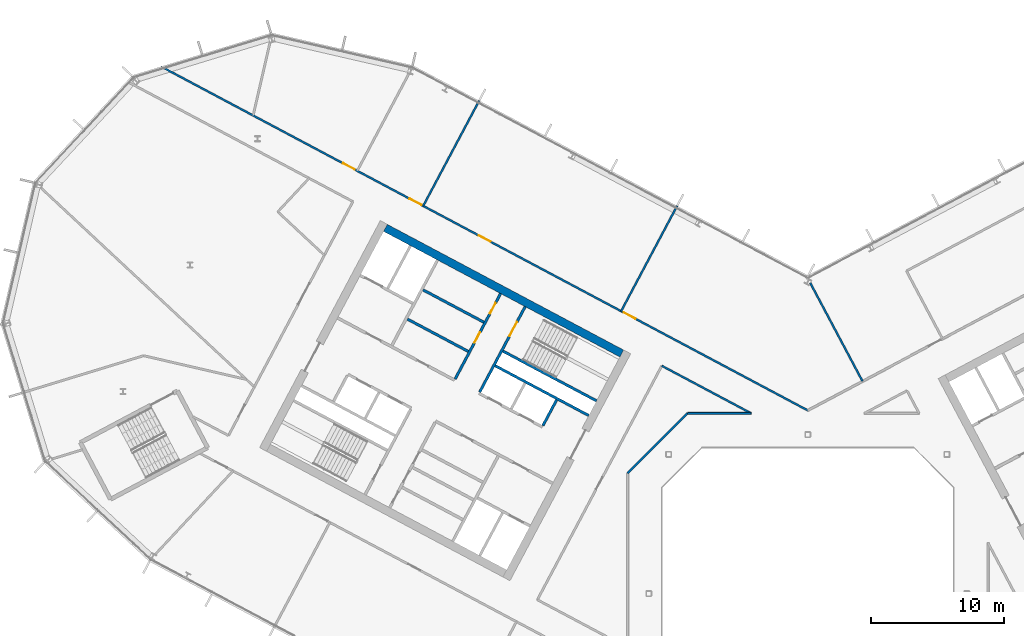
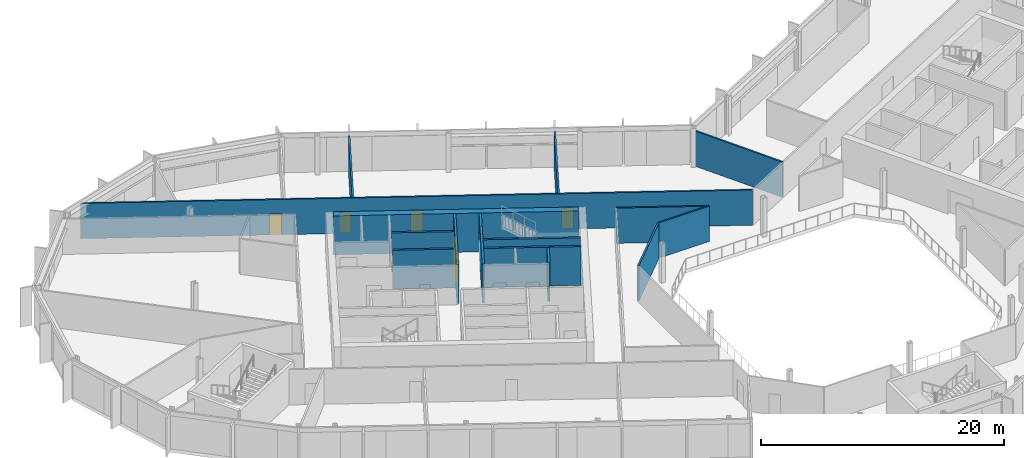
# One storey, part 15 of 27: 15 walls, 7 doors, 7 openings.
"""IFC4 building model written with IfcOpenShell, lengths in metres."""

from ifc_helpers import new_model, si_unit, direction, frame, frame_2d, origin, place, context, subcontext, project, spatial, rectangle, extrude, material, layer, layer_set, type_object, element, fill, save


model = new_model("IFC4")

# Units and contexts
model_context = context("Model", 3, precision=1e-05, world=origin(), true_north=direction((0.0, 1.0)))
body_context = subcontext(model_context, "Body", "Model", "MODEL_VIEW")
ifc_project = project(units=[si_unit("LENGTHUNIT", "METRE"), si_unit("AREAUNIT", "SQUARE_METRE"), si_unit("VOLUMEUNIT", "CUBIC_METRE"), si_unit("PLANEANGLEUNIT", "RADIAN"), si_unit("MASSUNIT", "GRAM", prefix="KILO")], contexts=[model_context])

# Site, building, storey
site_placement = place(None, origin())
site = spatial("IfcSite", under=ifc_project, at=site_placement, CompositionType="ELEMENT")
building_placement = place(site_placement, origin())
building = spatial("IfcBuilding", under=site, at=building_placement, Name="Cormorant Relay Tower", CompositionType="ELEMENT")
storey_placement = place(building_placement, frame((0.0, 0.0, 224.699951171875)))
storey = spatial("IfcBuildingStorey", under=building, at=storey_placement, Name="L49", CompositionType="ELEMENT", Elevation=224.699951171875)

# Walls
ifc_material_1 = material(Name="Concrete 40 MPa", Category="concrete")
ifc_layer_1 = layer(ifc_material_1, 0.199951171875)
ifc_layer_set_1 = layer_set([ifc_layer_1], Name="Core internal wall 200")
wall_type_1 = type_object("IfcWallType", Name="Core internal wall 200", PredefinedType="SOLIDWALL", material=ifc_layer_set_1)
wall_1_placement = place(storey_placement, frame((-24.449462890625, 20.474853515625, 0.0), z_axis=(0.0, 0.0, 1.0), x_axis=(-0.882934506056, 0.469496174655, 0.0)))
element("IfcWall", 1, at=wall_1_placement, inside=storey, type_object=wall_type_1, Name="L49 core A shaft and room wall", PredefinedType="SOLIDWALL", context=body_context, shape_type="SweptSolid", body=[
    extrude(rectangle(XDim=5.199951171875, YDim=0.199951171875, at=frame_2d((2.60009765625, 0.0))), origin(), (0.0, 0.0, 1.0), 3.900146484375),
])
ifc_material_2 = material(Name="Concrete 50 MPa", Category="concrete")
ifc_layer_2 = layer(ifc_material_2, 0.199951171875)
ifc_layer_set_2 = layer_set([ifc_layer_2], Name="Core shaft wall 200")
wall_type_2 = type_object("IfcWallType", Name="Core shaft wall 200", PredefinedType="SHEAR", material=ifc_layer_set_2)
wall_2_placement = place(storey_placement, frame((-18.959716796875, 14.611328125, 0.0), z_axis=(0.0, 0.0, 1.0), x_axis=(-0.4694473164, -0.882960484464, 0.0)))
element("IfcWall", 2, at=wall_2_placement, inside=storey, type_object=wall_type_2, Name="L49 core A shaft wall", PredefinedType="SHEAR", context=body_context, shape_type="SweptSolid", body=[
    extrude(rectangle(XDim=2.199951171875, YDim=0.199951171875, at=frame_2d((1.10009765625, 0.0))), origin(), (0.0, 0.0, 1.0), 3.900146484375),
])

# Wall, opening, door
wall_3_placement = place(storey_placement, frame((-21.333251953125, 21.6494140625, 0.0), z_axis=(0.0, 0.0, 1.0), x_axis=(-0.469494272526, -0.882935517501, 0.0)))
wall_3 = element("IfcWall", 3, at=wall_3_placement, inside=storey, type_object=wall_type_2, Name="L49 core A shaft wall", PredefinedType="SHEAR", context=body_context, shape_type="SweptSolid", body=[
    extrude(rectangle(XDim=7.2998046875, YDim=0.199951171875, at=frame_2d((3.64990234375, 0.0))), origin(), (0.0, 0.0, 1.0), 3.900146484375),
])
opening_1_placement = place(wall_3_placement, frame((1.300048828125, 0.0, 0.0)))
opening_1 = element("IfcOpeningElement", 4, at=opening_1_placement, cuts=wall_3, Name="Opening CDB-038", PredefinedType="OPENING", context=body_context, shape_type="SweptSolid", body=[
    extrude(rectangle(XDim=1.199951171875, YDim=2.10009765625, at=frame_2d((0.60009765625, 1.050048828125))), frame((0.0, 0.10986328125, 0.0), z_axis=(0.0, -1.0, 0.0), x_axis=(1.0, 0.0, 0.0)), (0.0, 0.0, 1.0), 0.219970703125),
])
ifc_material_3 = material(Name="Steel fire door", Category="steel")
door_type_1 = type_object("IfcDoorType", Name="Core stair door 1200x2100", OperationType="SINGLE_SWING_LEFT", PredefinedType="DOOR", material=ifc_material_3)
door_1_placement = place(opening_1_placement, origin())
door_1 = element("IfcDoor", 5, at=door_1_placement, inside=storey, type_object=door_type_1, Name="Core stair door 1200x2100", OperationType="SINGLE_SWING_RIGHT", OverallHeight=2.10009765625, OverallWidth=1.199951171875, PredefinedType="DOOR", context=body_context, shape_type="SweptSolid", body=[
    extrude(rectangle(XDim=1.199951171875, YDim=2.10009765625, at=frame_2d((0.60009765625, 1.050048828125))), frame((0.0, 0.02490234375, 0.0), z_axis=(0.0, -1.0, 0.0), x_axis=(1.0, 0.0, 0.0)), (0.0, 0.0, 1.0), 0.050048828125),
])
fill(opening_1, door_1)

# Wall, openings, doors
wall_4_placement = place(storey_placement, frame((-23.1875, 22.635498046875, 0.0), z_axis=(0.0, 0.0, 1.0), x_axis=(-0.469454336211, -0.882956752176, 0.0)))
wall_4 = element("IfcWall", 6, at=wall_4_placement, inside=storey, type_object=wall_type_2, Name="L49 core A shaft wall", PredefinedType="SHEAR", context=body_context, shape_type="SweptSolid", body=[
    extrude(rectangle(XDim=7.300048828125, YDim=0.199951171875, at=frame_2d((3.64990234375, 0.0))), origin(), (0.0, 0.0, 1.0), 3.900146484375),
])
opening_2_placement = place(wall_4_placement, frame((0.800048828125, 0.0, 0.0)))
opening_2 = element("IfcOpeningElement", 7, at=opening_2_placement, cuts=wall_4, Name="Opening CDD-281", PredefinedType="OPENING", context=body_context, shape_type="SweptSolid", body=[
    extrude(rectangle(XDim=0.89990234375, YDim=2.10009765625, at=frame_2d((0.449951171875, 1.050048828125))), frame((0.0, 0.10986328125, 0.0), z_axis=(0.0, -1.0, 0.0), x_axis=(1.0, 0.0, 0.0)), (0.0, 0.0, 1.0), 0.219970703125),
])
opening_3_placement = place(wall_4_placement, frame((3.300048828125, 0.0, 0.0)))
opening_3 = element("IfcOpeningElement", 8, at=opening_3_placement, cuts=wall_4, Name="Opening CDD-282", PredefinedType="OPENING", context=body_context, shape_type="SweptSolid", body=[
    extrude(rectangle(XDim=0.89990234375, YDim=2.10009765625, at=frame_2d((0.449951171875, 1.050048828125))), frame((0.0, 0.10986328125, 0.0), z_axis=(0.0, -1.0, 0.0), x_axis=(1.0, 0.0, 0.0)), (0.0, 0.0, 1.0), 0.219970703125),
])
ifc_material_4 = material(Name="Steel fire door", Category="steel")
door_type_2 = type_object("IfcDoorType", Name="Core room door 900x2100", OperationType="SINGLE_SWING_LEFT", PredefinedType="DOOR", material=ifc_material_4)
door_2_placement = place(opening_2_placement, origin())
door_2 = element("IfcDoor", 9, at=door_2_placement, inside=storey, type_object=door_type_2, Name="Core room door 900x2100", OperationType="SINGLE_SWING_LEFT", OverallHeight=2.10009765625, OverallWidth=0.89990234375, PredefinedType="DOOR", context=body_context, shape_type="SweptSolid", body=[
    extrude(rectangle(XDim=0.89990234375, YDim=2.10009765625, at=frame_2d((0.449951171875, 1.050048828125))), frame((0.0, 0.02490234375, 0.0), z_axis=(0.0, -1.0, 0.0), x_axis=(1.0, 0.0, 0.0)), (0.0, 0.0, 1.0), 0.050048828125),
])
fill(opening_2, door_2)
door_3_placement = place(opening_3_placement, origin())
door_3 = element("IfcDoor", 10, at=door_3_placement, inside=storey, type_object=door_type_2, Name="Core room door 900x2100", OperationType="SINGLE_SWING_LEFT", OverallHeight=2.10009765625, OverallWidth=0.89990234375, PredefinedType="DOOR", context=body_context, shape_type="SweptSolid", body=[
    extrude(rectangle(XDim=0.89990234375, YDim=2.10009765625, at=frame_2d((0.449951171875, 1.050048828125))), frame((0.0, 0.02490234375, 0.0), z_axis=(0.0, -1.0, 0.0), x_axis=(1.0, 0.0, 0.0)), (0.0, 0.0, 1.0), 0.050048828125),
])
fill(opening_3, door_3)

# Walls
wall_5_placement = place(storey_placement, frame((-15.94189453125, 14.53564453125, 0.0), z_axis=(0.0, 0.0, 1.0), x_axis=(-0.882946947542, 0.469472776449, 0.0)))
element("IfcWall", 11, at=wall_5_placement, inside=storey, type_object=wall_type_2, Name="L49 core A shaft wall", PredefinedType="SHEAR", context=body_context, shape_type="SweptSolid", body=[
    extrude(rectangle(XDim=8.000244140625, YDim=0.199951171875, at=frame_2d((4.0, 0.0))), origin(), (0.0, 0.0, 1.0), 3.900146484375),
])
wall_6_placement = place(storey_placement, frame((-16.52880859375, 13.43212890625, 0.0), z_axis=(0.0, 0.0, 1.0), x_axis=(-0.88295287151, 0.469461634952, 0.0)))
element("IfcWall", 12, at=wall_6_placement, inside=storey, type_object=wall_type_2, Name="L49 core A shaft wall", PredefinedType="SHEAR", context=body_context, shape_type="SweptSolid", body=[
    extrude(rectangle(XDim=7.999755859375, YDim=0.199951171875, at=frame_2d((4.0, 0.0))), origin(), (0.0, 0.0, 1.0), 3.900146484375),
])
wall_7_placement = place(storey_placement, frame((-25.623046875, 18.267578125, 0.0), z_axis=(0.0, 0.0, 1.0), x_axis=(-0.882953967957, 0.469459572775, 0.0)))
element("IfcWall", 13, at=wall_7_placement, inside=storey, type_object=wall_type_2, Name="L49 core A shaft wall", PredefinedType="SHEAR", context=body_context, shape_type="SweptSolid", body=[
    extrude(rectangle(XDim=5.199951171875, YDim=0.199951171875, at=frame_2d((2.60009765625, 0.0))), origin(), (0.0, 0.0, 1.0), 3.900146484375),
])
ifc_material_5 = material(Name="Concrete 50 MPa", Category="concrete")
ifc_layer_3 = layer(ifc_material_5, 0.60009765625)
ifc_layer_set_3 = layer_set([ifc_layer_3], Name="Core wall 600")
wall_type_3 = type_object("IfcWallType", Name="Core wall 600", PredefinedType="SHEAR", material=ifc_layer_set_3)
wall_8_placement = place(storey_placement, frame((-14.04052734375, 18.111572265625, 0.0), z_axis=(0.0, 0.0, 1.0), x_axis=(-0.882947755831, 0.46947125628, 0.0)))
element("IfcWall", 14, at=wall_8_placement, inside=storey, type_object=wall_type_3, Name="L49 core A wall", PredefinedType="SHEAR", context=body_context, shape_type="SweptSolid", body=[
    extrude(rectangle(XDim=20.2001953125, YDim=0.60009765625, at=frame_2d((10.10009765625, 0.0))), origin(), (0.0, 0.0, 1.0), 3.900146484375),
])

# Wall, openings, doors
ifc_material_6 = material(Name="Gypsum board fire partition")
ifc_layer_4 = layer(ifc_material_6, 0.14990234375)
ifc_layer_set_4 = layer_set([ifc_layer_4], Name="Corridor partition 150 EI 60")
wall_type_4 = type_object("IfcWallType", Name="Corridor partition 150 EI 60", PredefinedType="PARTITIONING", material=ifc_layer_set_4)
wall_9_placement = place(storey_placement, frame((-48.81201171875, 39.77099609375, 0.0), z_axis=(0.0, 0.0, 1.0), x_axis=(0.882945384259, -0.469475716535, 0.0)))
wall_9 = element("IfcWall", 15, at=wall_9_placement, inside=storey, type_object=wall_type_4, Name="wall/L49/part/011", PredefinedType="PARTITIONING", context=body_context, shape_type="SweptSolid", body=[
    extrude(rectangle(XDim=55.283203125, YDim=0.14990234375, at=frame_2d((27.6416015625, 0.0))), origin(), (0.0, 0.0, 1.0), 3.5400390625),
])
opening_4_placement = place(wall_9_placement, frame((39.550048828125, 0.0, 0.0)))
opening_4 = element("IfcOpeningElement", 16, at=opening_4_placement, cuts=wall_9, Name="Opening DS-161", PredefinedType="OPENING", context=body_context, shape_type="SweptSolid", body=[
    extrude(rectangle(XDim=1.0, YDim=2.10009765625, at=frame_2d((0.5, 1.050048828125))), frame((0.0, 0.0849609375, 0.0), z_axis=(0.0, -1.0, 0.0), x_axis=(1.0, 0.0, 0.0)), (0.0, 0.0, 1.0), 0.169921875),
])
opening_5_placement = place(wall_9_placement, frame((27.14990234375, 0.0, 0.0)))
opening_5 = element("IfcOpeningElement", 17, at=opening_5_placement, cuts=wall_9, Name="Opening DS-162", PredefinedType="OPENING", context=body_context, shape_type="SweptSolid", body=[
    extrude(rectangle(XDim=1.0, YDim=2.10009765625, at=frame_2d((0.5, 1.050048828125))), frame((0.0, 0.0849609375, 0.0), z_axis=(0.0, -1.0, 0.0), x_axis=(1.0, 0.0, 0.0)), (0.0, 0.0, 1.0), 0.169921875),
])
opening_6_placement = place(wall_9_placement, frame((21.25, 0.0, 0.0)))
opening_6 = element("IfcOpeningElement", 18, at=opening_6_placement, cuts=wall_9, Name="Opening DS-163", PredefinedType="OPENING", context=body_context, shape_type="SweptSolid", body=[
    extrude(rectangle(XDim=1.0, YDim=2.10009765625, at=frame_2d((0.5, 1.050048828125))), frame((0.0, 0.0849609375, 0.0), z_axis=(0.0, -1.0, 0.0), x_axis=(1.0, 0.0, 0.0)), (0.0, 0.0, 1.0), 0.169921875),
])
opening_7_placement = place(wall_9_placement, frame((15.550048828125, 0.0, 0.0)))
opening_7 = element("IfcOpeningElement", 19, at=opening_7_placement, cuts=wall_9, Name="Opening DS-164", PredefinedType="OPENING", context=body_context, shape_type="SweptSolid", body=[
    extrude(rectangle(XDim=1.0, YDim=2.10009765625, at=frame_2d((0.5, 1.050048828125))), frame((0.0, 0.0849609375, 0.0), z_axis=(0.0, -1.0, 0.0), x_axis=(1.0, 0.0, 0.0)), (0.0, 0.0, 1.0), 0.169921875),
])
ifc_material_7 = material(Name="Timber door leaf", Category="wood")
door_type_3 = type_object("IfcDoorType", Name="Suite door 1000x2100", OperationType="SINGLE_SWING_LEFT", PredefinedType="DOOR", material=ifc_material_7)
door_4_placement = place(opening_4_placement, origin())
door_4 = element("IfcDoor", 20, at=door_4_placement, inside=storey, type_object=door_type_3, Name="door/L49/015", OperationType="SINGLE_SWING_LEFT", OverallHeight=2.10009765625, OverallWidth=1.0, PredefinedType="DOOR", context=body_context, shape_type="SweptSolid", body=[
    extrude(rectangle(XDim=1.0, YDim=2.10009765625, at=frame_2d((0.5, 1.050048828125))), frame((0.0, 0.02490234375, 0.0), z_axis=(0.0, -1.0, 0.0), x_axis=(1.0, 0.0, 0.0)), (0.0, 0.0, 1.0), 0.050048828125),
])
fill(opening_4, door_4)
door_5_placement = place(opening_5_placement, origin())
door_5 = element("IfcDoor", 21, at=door_5_placement, inside=storey, type_object=door_type_3, Name="door/L49/016", OperationType="SINGLE_SWING_RIGHT", OverallHeight=2.10009765625, OverallWidth=1.0, PredefinedType="DOOR", context=body_context, shape_type="SweptSolid", body=[
    extrude(rectangle(XDim=1.0, YDim=2.10009765625, at=frame_2d((0.5, 1.050048828125))), frame((0.0, 0.02490234375, 0.0), z_axis=(0.0, -1.0, 0.0), x_axis=(1.0, 0.0, 0.0)), (0.0, 0.0, 1.0), 0.050048828125),
])
fill(opening_5, door_5)
door_6_placement = place(opening_6_placement, origin())
door_6 = element("IfcDoor", 22, at=door_6_placement, inside=storey, type_object=door_type_3, Name="door/L49/017", OperationType="SINGLE_SWING_RIGHT", OverallHeight=2.10009765625, OverallWidth=1.0, PredefinedType="DOOR", context=body_context, shape_type="SweptSolid", body=[
    extrude(rectangle(XDim=1.0, YDim=2.10009765625, at=frame_2d((0.5, 1.050048828125))), frame((0.0, 0.02490234375, 0.0), z_axis=(0.0, -1.0, 0.0), x_axis=(1.0, 0.0, 0.0)), (0.0, 0.0, 1.0), 0.050048828125),
])
fill(opening_6, door_6)
door_7_placement = place(opening_7_placement, origin())
door_7 = element("IfcDoor", 23, at=door_7_placement, inside=storey, type_object=door_type_3, Name="door/L49/018", OperationType="SINGLE_SWING_RIGHT", OverallHeight=2.10009765625, OverallWidth=1.0, PredefinedType="DOOR", context=body_context, shape_type="SweptSolid", body=[
    extrude(rectangle(XDim=1.0, YDim=2.10009765625, at=frame_2d((0.5, 1.050048828125))), frame((0.0, 0.02490234375, 0.0), z_axis=(0.0, -1.0, 0.0), x_axis=(1.0, 0.0, 0.0)), (0.0, 0.0, 1.0), 0.050048828125),
])
fill(opening_7, door_7)

# Walls
wall_10_placement = place(storey_placement, frame((-11.02197265625, 17.18603515625, 0.0), z_axis=(0.0, 0.0, 1.0), x_axis=(0.882967947403, -0.469433279453, 0.0)))
element("IfcWall", 24, at=wall_10_placement, inside=storey, type_object=wall_type_4, Name="wall/L49/part/043", PredefinedType="PARTITIONING", context=body_context, shape_type="SweptSolid", body=[
    extrude(rectangle(XDim=7.638916015625, YDim=0.14990234375, at=frame_2d((3.8193359375, 0.0))), origin(), (0.0, 0.0, 1.0), 3.5400390625),
])
wall_11_placement = place(storey_placement, frame((-4.277099609375, 13.60009765625, 0.0), z_axis=(0.0, 0.0, 1.0), x_axis=(-1.0, 0.0, 0.0)))
element("IfcWall", 25, at=wall_11_placement, inside=storey, type_object=wall_type_4, Name="wall/L49/part/044", PredefinedType="PARTITIONING", context=body_context, shape_type="SweptSolid", body=[
    extrude(rectangle(XDim=4.7998046875, YDim=0.14990234375, at=frame_2d((2.39990234375, 0.0))), origin(), (0.0, 0.0, 1.0), 3.5400390625),
])
wall_12_placement = place(storey_placement, frame((-9.076904296875, 13.60009765625, 0.0), z_axis=(0.0, 0.0, 1.0), x_axis=(-0.707106781187, -0.707106781187, 0.0)))
element("IfcWall", 26, at=wall_12_placement, inside=storey, type_object=wall_type_4, Name="wall/L49/part/045", PredefinedType="PARTITIONING", context=body_context, shape_type="SweptSolid", body=[
    extrude(rectangle(XDim=6.396728515625, YDim=0.14990234375, at=frame_2d((3.1982421875, 0.0))), origin(), (0.0, 0.0, 1.0), 3.5400390625),
])
ifc_material_8 = material(Name="Gypsum board partition")
ifc_layer_5 = layer(ifc_material_8, 0.14990234375)
ifc_layer_set_5 = layer_set([ifc_layer_5], Name="Tenant partition 150")
wall_type_5 = type_object("IfcWallType", Name="Tenant partition 150", PredefinedType="PARTITIONING", material=ifc_layer_set_5)
wall_13_placement = place(storey_placement, frame((-24.800048828125, 37.197021484375, 0.0), z_axis=(0.0, 0.0, 1.0), x_axis=(-0.469544588835, -0.882908760346, 0.0)))
element("IfcWall", 27, at=wall_13_placement, inside=storey, type_object=wall_type_5, Name="wall/L49/part/020", PredefinedType="PARTITIONING", context=body_context, shape_type="SweptSolid", body=[
    extrude(rectangle(XDim=8.999755859375, YDim=0.14990234375, at=frame_2d((4.5, 0.0))), origin(), (0.0, 0.0, 1.0), 3.5400390625),
])
wall_14_placement = place(storey_placement, frame((-9.864013671875, 29.2548828125, 0.0), z_axis=(0.0, 0.0, 1.0), x_axis=(-0.469492391546, -0.882936517696, 0.0)))
element("IfcWall", 28, at=wall_14_placement, inside=storey, type_object=wall_type_5, Name="wall/L49/part/022", PredefinedType="PARTITIONING", context=body_context, shape_type="SweptSolid", body=[
    extrude(rectangle(XDim=8.999267578125, YDim=0.14990234375, at=frame_2d((4.49951171875, 0.0))), origin(), (0.0, 0.0, 1.0), 3.5400390625),
])
wall_15_placement = place(storey_placement, frame((0.18310546875, 23.43994140625, 0.0), z_axis=(0.0, 0.0, 1.0), x_axis=(0.469426169657, -0.882971727317, 0.0)))
element("IfcWall", 29, at=wall_15_placement, inside=storey, type_object=wall_type_5, Name="wall/L49/part/024", PredefinedType="PARTITIONING", context=body_context, shape_type="SweptSolid", body=[
    extrude(rectangle(XDim=8.41015625, YDim=0.14990234375, at=frame_2d((4.205078125, 0.0))), origin(), (0.0, 0.0, 1.0), 3.5400390625),
])

save(model, "model.ifc")
